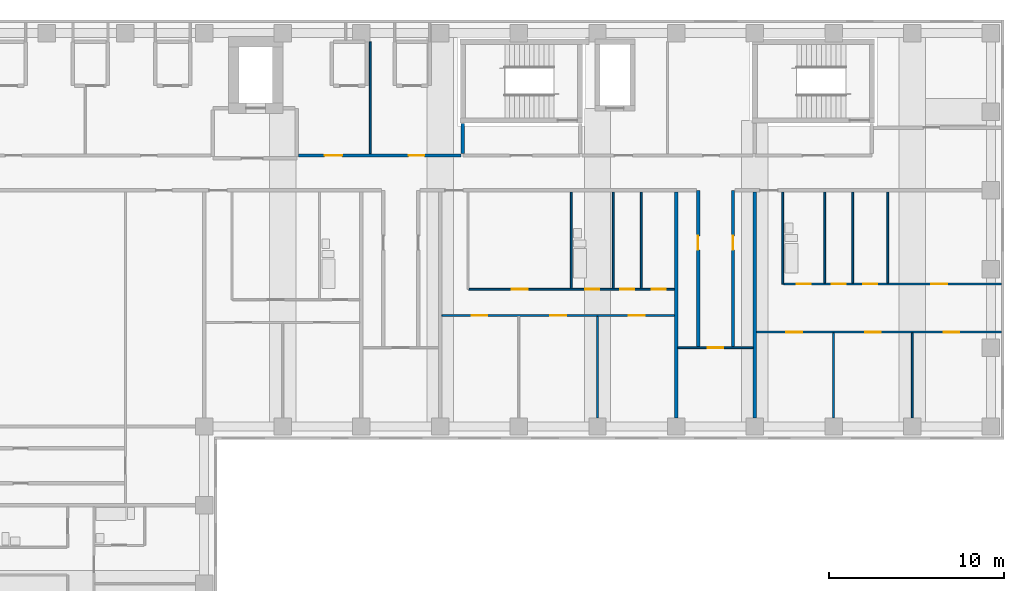
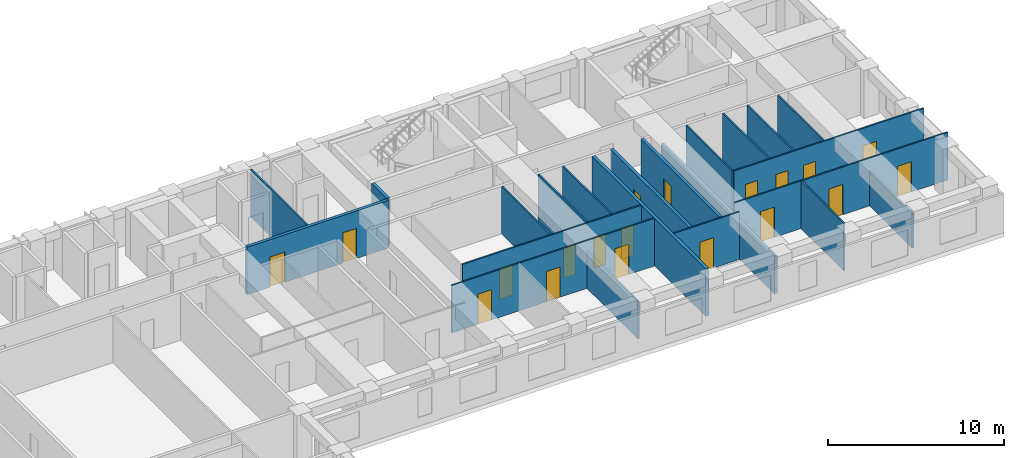
# One storey, part 7 of 12: 22 walls, 19 doors, 19 openings.
"""IFC4 building model written with IfcOpenShell, lengths in metres."""

import ifcopenshell
import ifcopenshell.guid

model = None  # the IFC model being written
_history = None  # IfcOwnerHistory: only IFC2X3 demands one
_inside = {}  # id of a spatial element -> (the spatial element, [elements in it])
_under = {}  # id of a project, library or spatial element -> (it, [spatial elements below it])
_declared = {}  # id of a project -> (the project, [libraries it declares])
_typed = {}  # id of a type object -> (the type object, [elements of that type])
_made_of = {}  # id of a material, layer set ... -> (it, [elements and type objects made of it])


def new_model(schema):
    """Start an empty IFC model of exactly this schema.

    Asked for "IFC4X3", IfcOpenShell would pick the latest addendum, in which some entities
    have other attributes; the version numbers below select the first issue.
    IFC2X3 requires an IfcOwnerHistory on every rooted entity: one is made here for all.
    """
    global model, _history
    if schema == "IFC4X3":
        model = ifcopenshell.file(schema_version=(4, 3, 0, 0))
    else:
        model = ifcopenshell.file(schema=schema)
    _inside.clear()
    _under.clear()
    _declared.clear()
    _typed.clear()
    _made_of.clear()
    _history = None
    if model.schema == "IFC2X3":
        org = make("IfcOrganization", Name="unknown")
        user = make(
            "IfcPersonAndOrganization",
            ThePerson=make("IfcPerson", FamilyName="unknown"),
            TheOrganization=org,
        )
        app = make(
            "IfcApplication",
            ApplicationDeveloper=org,
            Version="unknown",
            ApplicationFullName="unknown",
            ApplicationIdentifier="unknown",
        )
        _history = make(
            "IfcOwnerHistory",
            OwningUser=user,
            OwningApplication=app,
            ChangeAction="ADDED",
            CreationDate=0,
        )
    return model


def make(cls, **values):
    """One entity of the class cls with the attributes given. An attribute that is None is left unset."""
    return model.create_entity(
        cls, **{name: value for name, value in values.items() if value is not None}
    )


def rooted(cls, **values):
    """An entity with a GlobalId (a new one), such as an element, a storey or a relation."""
    return make(cls, GlobalId=ifcopenshell.guid.new(), OwnerHistory=_history, **values)


def si_unit(unit_type, name, prefix=None):
    """IfcSIUnit, for example si_unit("LENGTHUNIT", "METRE", prefix="MILLI")."""
    return make("IfcSIUnit", UnitType=unit_type, Prefix=prefix, Name=name)


def assignment(units):
    """IfcUnitAssignment: the units of a project."""
    return None if units is None else make("IfcUnitAssignment", Units=units)


def point(xyz):
    """IfcCartesianPoint."""
    return None if xyz is None else make("IfcCartesianPoint", Coordinates=xyz)


def direction(xyz):
    """IfcDirection."""
    return None if xyz is None else make("IfcDirection", DirectionRatios=xyz)


def frame(location, z_axis=None, x_axis=None):
    """IfcAxis2Placement3D, a coordinate frame: its origin and axes. An axis left out is left unset."""
    return make(
        "IfcAxis2Placement3D",
        Location=point(location),
        Axis=direction(z_axis),
        RefDirection=direction(x_axis),
    )


def frame_2d(location, x_axis=None):
    """IfcAxis2Placement2D, a coordinate frame in the plane: its origin and x axis."""
    return make(
        "IfcAxis2Placement2D", Location=point(location), RefDirection=direction(x_axis)
    )


def origin():
    """The frame at (0, 0, 0) with its axes left unset."""
    return frame((0.0, 0.0, 0.0))


def place(relative_to, where):
    """IfcLocalPlacement: puts the frame where relative to a parent placement (None: the world)."""
    return make(
        "IfcLocalPlacement", PlacementRelTo=relative_to, RelativePlacement=where
    )


def context(
    kind, dimensions, precision=None, world=None, true_north=None, identifier=None
):
    """IfcGeometricRepresentationContext, for example the 3D "Model" context."""
    return make(
        "IfcGeometricRepresentationContext",
        ContextIdentifier=identifier,
        ContextType=kind,
        CoordinateSpaceDimension=dimensions,
        Precision=precision,
        WorldCoordinateSystem=world,
        TrueNorth=true_north,
    )


def subcontext(parent, identifier, kind, view, scale=None):
    """IfcGeometricRepresentationSubContext, for example "Body" below "Model"."""
    return make(
        "IfcGeometricRepresentationSubContext",
        ContextIdentifier=identifier,
        ContextType=kind,
        ParentContext=parent,
        TargetScale=scale,
        TargetView=view,
    )


def project(units=None, contexts=None):
    """IfcProject with its units and contexts."""
    return rooted(
        "IfcProject",
        Name="project",
        RepresentationContexts=contexts,
        UnitsInContext=assignment(units),
    )


def spatial(cls, under=None, at=None, **own):
    """A site, building, storey or space (cls), placed at a placement, below another one or the project."""
    s = rooted(cls, ObjectPlacement=at, **own)
    if under is not None:
        _under.setdefault(under.id(), (under, []))[1].append(s)
    return s


def profile(cls, at=None, kind="AREA", **sizes):
    """A parametric profile (cls). Its sizes go by their IFC names, for example OverallWidth=200.0."""
    return make(cls, ProfileType=kind, Position=at, **sizes)


def rectangle(**sizes):
    """IfcRectangleProfileDef."""
    return profile("IfcRectangleProfileDef", **sizes)


def extrude(swept, where, along, depth):
    """IfcExtrudedAreaSolid: the profile swept, set in the frame where, extruded along a direction by depth."""
    return make(
        "IfcExtrudedAreaSolid",
        SweptArea=swept,
        Position=where,
        ExtrudedDirection=direction(along),
        Depth=depth,
    )


def shape(context_of_items, identifier, shape_type, items):
    """IfcShapeRepresentation: the items that make up one representation, for example the "Body"."""
    return make(
        "IfcShapeRepresentation",
        ContextOfItems=context_of_items,
        RepresentationIdentifier=identifier,
        RepresentationType=shape_type,
        Items=items,
    )


def material(Name=None, Category=None):
    """IfcMaterial."""
    return make("IfcMaterial", Name=Name, Category=Category)


def layer(
    of_material, thickness, ventilated=None, Name=None, Category=None, Priority=None
):
    """IfcMaterialLayer: one layer of a wall or slab, of a material (None: an air gap)."""
    return make(
        "IfcMaterialLayer",
        Material=of_material,
        LayerThickness=thickness,
        IsVentilated=ventilated,
        Name=Name,
        Category=Category,
        Priority=Priority,
    )


def layer_set(layers, Name=None):
    """IfcMaterialLayerSet."""
    return make("IfcMaterialLayerSet", MaterialLayers=layers, LayerSetName=Name)


def made_of(thing, what):
    """Note that an element or type object is made of a material, layer set ...; save() writes the relation."""
    if what is not None:
        _made_of.setdefault(what.id(), (what, []))[1].append(thing)
    return thing


def type_object(cls, material=None, **own):
    """A type object (cls), such as IfcWallType, which elements share."""
    return made_of(rooted(cls, **own), material)


def element(
    cls,
    number,
    at=None,
    inside=None,
    cuts=None,
    type_object=None,
    material=None,
    context=None,
    identifier="Body",
    shape_type=None,
    held_by="IfcProductDefinitionShape",
    body=None,
    shapes=None,
    **own,
):
    """One element of the class cls, such as IfcWall. Its Tag is "e" and its number.

    at: its placement. inside: the storey or other place that contains it. cuts: it is an
    opening in that element (IfcRelVoidsElement). A single representation is given by context,
    identifier, shape_type and body (its items); several are given by shapes. held_by: the class
    of the entity that holds the representations. save() writes the other relations.
    """
    e = rooted(cls, Tag="e%d" % number, ObjectPlacement=at, **own)
    if body is not None:
        shapes = [shape(context, identifier, shape_type, body)]
    if shapes is not None:
        e.Representation = make(held_by, Representations=shapes)
    if inside is not None:
        _inside.setdefault(inside.id(), (inside, []))[1].append(e)
    if cuts is not None:
        rooted(
            "IfcRelVoidsElement", RelatingBuildingElement=cuts, RelatedOpeningElement=e
        )
    if type_object is not None:
        _typed.setdefault(type_object.id(), (type_object, []))[1].append(e)
    return made_of(e, material)


def fill(opening, filler):
    """IfcRelFillsElement: the door or window that sits in an opening."""
    return rooted(
        "IfcRelFillsElement",
        RelatingOpeningElement=opening,
        RelatedBuildingElement=filler,
    )


def aggregate(whole, parts):
    """IfcRelAggregates: a whole, such as a stair, and the parts it consists of."""
    return rooted("IfcRelAggregates", RelatingObject=whole, RelatedObjects=parts)


def save(model, path):
    """Write the relations noted so far, then the file.

    IfcRelAggregates (storeys below a building ...), IfcRelContainedInSpatialStructure (elements
    in a storey), IfcRelDefinesByType, IfcRelAssociatesMaterial and IfcRelDeclares: one each for
    every whole, place, type object, material and project.
    """
    for whole, parts in _under.values():
        aggregate(whole, parts)
    for where, things in _inside.values():
        rooted(
            "IfcRelContainedInSpatialStructure",
            RelatedElements=things,
            RelatingStructure=where,
        )
    for kind, things in _typed.values():
        rooted("IfcRelDefinesByType", RelatedObjects=things, RelatingType=kind)
    for what, things in _made_of.values():
        rooted("IfcRelAssociatesMaterial", RelatedObjects=things, RelatingMaterial=what)
    for by, libraries in _declared.values():
        rooted("IfcRelDeclares", RelatingContext=by, RelatedDefinitions=libraries)
    model.write(path)


model = new_model("IFC4")

# Units and contexts
model_context = context("Model", 3, precision=1e-05, world=origin(), true_north=direction((0.0, 1.0)))
body_context = subcontext(model_context, "Body", "Model", "MODEL_VIEW")
ifc_project = project(units=[si_unit("LENGTHUNIT", "METRE"), si_unit("AREAUNIT", "SQUARE_METRE"), si_unit("VOLUMEUNIT", "CUBIC_METRE"), si_unit("PLANEANGLEUNIT", "RADIAN"), si_unit("MASSUNIT", "GRAM", prefix="KILO")], contexts=[model_context])

# Site, building, storey
site_placement = place(None, origin())
site = spatial("IfcSite", under=ifc_project, at=site_placement, CompositionType="ELEMENT")
building_placement = place(site_placement, origin())
building = spatial("IfcBuilding", under=site, at=building_placement, Name="Firuza Court", CompositionType="ELEMENT")
storey_placement = place(building_placement, frame((0.0, 0.0, 148.39990234375)))
storey = spatial("IfcBuildingStorey", under=building, at=storey_placement, Name="L37", CompositionType="ELEMENT", Elevation=148.39990234375)

# Walls
ifc_material_1 = material(Name="Moisture-resistant gypsum board partition")
ifc_layer_1 = layer(ifc_material_1, 0.10009765625)
ifc_layer_set_1 = layer_set([ifc_layer_1], Name="Moisture-resistant gypsum board partition")
wall_type_1 = type_object("IfcWallType", Name="Bathroom partition 100", PredefinedType="PLUMBINGWALL", material=ifc_layer_set_1)
for number, where, z_axis, x_axis, name in (
    (1, (43.5, 43.89990234375, 0.0), (0.0, 0.0, 1.0), (0.0, 1.0, 0.0), "Bathroom partition 100 L37"),
    (2, (45.89990234375, 43.89990234375, 0.0), (0.0, 0.0, 1.0), (0.0, 1.0, 0.0), "Bathroom partition 100 L37"),
):
    element("IfcWall", number, at=place(storey_placement, frame(where, z_axis=z_axis, x_axis=x_axis)), inside=storey, type_object=wall_type_1, Name=name, PredefinedType="PLUMBINGWALL", context=body_context, shape_type="SweptSolid", body=[
        extrude(rectangle(XDim=5.5, YDim=0.10009765625, at=frame_2d((2.75, 0.0))), origin(), (0.0, 0.0, 1.0), 3.300048828125),
    ])
wall_1_placement = place(storey_placement, frame((55.60009765625, 44.14990234375, 0.0), z_axis=(0.0, 0.0, 1.0), x_axis=(0.0, 1.0, 0.0)))
element("IfcWall", 3, at=wall_1_placement, inside=storey, type_object=wall_type_1, Name="Bathroom partition 100 L37", PredefinedType="PLUMBINGWALL", context=body_context, shape_type="SweptSolid", body=[
    extrude(rectangle(XDim=5.25, YDim=0.10009765625, at=frame_2d((2.625, 0.0))), origin(), (0.0, 0.0, 1.0), 3.300048828125),
])
wall_2_placement = place(storey_placement, frame((58.0, 44.199951171875, 0.0), z_axis=(0.0, 0.0, 1.0), x_axis=(0.0, 1.0, 0.0)))
element("IfcWall", 4, at=wall_2_placement, inside=storey, type_object=wall_type_1, Name="Bathroom partition 100 L37", PredefinedType="PLUMBINGWALL", context=body_context, shape_type="SweptSolid", body=[
    extrude(rectangle(XDim=5.199951171875, YDim=0.10009765625, at=frame_2d((2.60009765625, 0.0))), origin(), (0.0, 0.0, 1.0), 3.300048828125),
])

# Wall, opening, door
ifc_material_2 = material(Name="Blockwork, plastered both sides", Category="masonry")
ifc_layer_2 = layer(ifc_material_2, 0.199951171875)
ifc_layer_set_2 = layer_set([ifc_layer_2], Name="Blockwork, plastered both sides")
wall_type_2 = type_object("IfcWallType", Name="Corridor wall 200", PredefinedType="PARTITIONING", material=ifc_layer_set_2)
wall_3_placement = place(storey_placement, frame((50.75, 40.550048828125, 0.0), z_axis=(0.0, 0.0, 1.0), x_axis=(0.0, 1.0, 0.0)))
wall_3 = element("IfcWall", 5, at=wall_3_placement, inside=storey, type_object=wall_type_2, Name="Corridor wall 200 L37", PredefinedType="PARTITIONING", context=body_context, shape_type="SweptSolid", body=[
    extrude(rectangle(XDim=8.949951171875, YDim=0.199951171875, at=frame_2d((4.47509765625, 0.0))), origin(), (0.0, 0.0, 1.0), 3.300048828125),
])
opening_1_placement = place(wall_3_placement, frame((5.550048828125, 0.0, 0.0)))
opening_1 = element("IfcOpeningElement", 6, at=opening_1_placement, cuts=wall_3, Name="Opening D37046", PredefinedType="OPENING", context=body_context, shape_type="SweptSolid", body=[
    extrude(rectangle(XDim=0.800048828125, YDim=2.10009765625, at=frame_2d((0.39990234375, 1.050048828125))), frame((0.0, 0.11181640625, 0.0), z_axis=(0.0, -1.0, 0.0), x_axis=(1.0, 0.0, 0.0)), (0.0, 0.0, 1.0), 0.223876953125),
])
ifc_material_3 = material(Name="Timber door leaf in hardwood frame", Category="wood")
door_type_1 = type_object("IfcDoorType", Name="Room door 800 EI 30", OperationType="SINGLE_SWING_LEFT", PredefinedType="DOOR", material=ifc_material_3)
door_1_placement = place(opening_1_placement, origin())
door_1 = element("IfcDoor", 7, at=door_1_placement, inside=storey, type_object=door_type_1, Name="Store door", OperationType="SINGLE_SWING_RIGHT", OverallHeight=2.10009765625, OverallWidth=0.800048828125, PredefinedType="DOOR", context=body_context, shape_type="SweptSolid", body=[
    extrude(rectangle(XDim=0.800048828125, YDim=2.10009765625, at=frame_2d((0.39990234375, 1.050048828125))), frame((0.0, 0.02490234375, 0.0), z_axis=(0.0, -1.0, 0.0), x_axis=(1.0, 0.0, 0.0)), (0.0, 0.0, 1.0), 0.050048828125),
])
fill(opening_1, door_1)

wall_4_placement = place(storey_placement, frame((52.75, 40.550048828125, 0.0), z_axis=(0.0, 0.0, 1.0), x_axis=(0.0, 1.0, 0.0)))
wall_4 = element("IfcWall", 8, at=wall_4_placement, inside=storey, type_object=wall_type_2, Name="Corridor wall 200 L37", PredefinedType="PARTITIONING", context=body_context, shape_type="SweptSolid", body=[
    extrude(rectangle(XDim=8.949951171875, YDim=0.199951171875, at=frame_2d((4.47509765625, 0.0))), origin(), (0.0, 0.0, 1.0), 3.300048828125),
])
opening_2_placement = place(wall_4_placement, frame((5.550048828125, 0.0, 0.0)))
opening_2 = element("IfcOpeningElement", 9, at=opening_2_placement, cuts=wall_4, Name="Opening D37047", PredefinedType="OPENING", context=body_context, shape_type="SweptSolid", body=[
    extrude(rectangle(XDim=0.800048828125, YDim=2.10009765625, at=frame_2d((0.39990234375, 1.050048828125))), frame((0.0, 0.11181640625, 0.0), z_axis=(0.0, -1.0, 0.0), x_axis=(1.0, 0.0, 0.0)), (0.0, 0.0, 1.0), 0.223876953125),
])
door_2_placement = place(opening_2_placement, frame((0.800048828125, 0.0, 0.0), z_axis=(0.0, 0.0, 1.0), x_axis=(-1.0, 0.0, 0.0)))
door_2 = element("IfcDoor", 10, at=door_2_placement, inside=storey, type_object=door_type_1, Name="Store door", OperationType="SINGLE_SWING_LEFT", OverallHeight=2.10009765625, OverallWidth=0.800048828125, PredefinedType="DOOR", context=body_context, shape_type="SweptSolid", body=[
    extrude(rectangle(XDim=0.800048828125, YDim=2.10009765625, at=frame_2d((0.39990234375, 1.050048828125))), frame((0.0, 0.02490234375, 0.0), z_axis=(0.0, -1.0, 0.0), x_axis=(1.0, 0.0, 0.0)), (0.0, 0.0, 1.0), 0.050048828125),
])
fill(opening_2, door_2)

# Wall, openings, doors
wall_5_placement = place(storey_placement, frame((27.89990234375, 51.5, 0.0), z_axis=(0.0, 0.0, 1.0), x_axis=(1.0, 0.0, 0.0)))
wall_5 = element("IfcWall", 11, at=wall_5_placement, inside=storey, type_object=wall_type_2, Name="Corridor wall 200 L37", PredefinedType="PARTITIONING", context=body_context, shape_type="SweptSolid", body=[
    extrude(rectangle(XDim=9.300048828125, YDim=0.199951171875, at=frame_2d((4.64990234375, 0.0))), origin(), (0.0, 0.0, 1.0), 3.300048828125),
])
opening_3_placement = place(wall_5_placement, frame((1.5, 0.0, 0.0)))
opening_3 = element("IfcOpeningElement", 12, at=opening_3_placement, cuts=wall_5, Name="Opening D37072", PredefinedType="OPENING", context=body_context, shape_type="SweptSolid", body=[
    extrude(rectangle(XDim=1.0, YDim=2.10009765625, at=frame_2d((0.5, 1.050048828125))), frame((0.0, 0.11181640625, 0.0), z_axis=(0.0, -1.0, 0.0), x_axis=(1.0, 0.0, 0.0)), (0.0, 0.0, 1.0), 0.223876953125),
])
opening_4_placement = place(wall_5_placement, frame((6.300048828125, 0.0, 0.0)))
opening_4 = element("IfcOpeningElement", 13, at=opening_4_placement, cuts=wall_5, Name="Opening D37073", PredefinedType="OPENING", context=body_context, shape_type="SweptSolid", body=[
    extrude(rectangle(XDim=0.89990234375, YDim=2.10009765625, at=frame_2d((0.449951171875, 1.050048828125))), frame((0.0, 0.11181640625, 0.0), z_axis=(0.0, -1.0, 0.0), x_axis=(1.0, 0.0, 0.0)), (0.0, 0.0, 1.0), 0.223876953125),
])
ifc_material_4 = material(Name="Timber door leaf in hardwood frame", Category="wood")
door_type_2 = type_object("IfcDoorType", Name="Room door 900 EI 30", OperationType="SINGLE_SWING_LEFT", PredefinedType="DOOR", material=ifc_material_4)
door_3_placement = place(opening_4_placement, origin())
door_3 = element("IfcDoor", 14, at=door_3_placement, inside=storey, type_object=door_type_2, Name="Concierge room door", OperationType="SINGLE_SWING_LEFT", OverallHeight=2.10009765625, OverallWidth=0.89990234375, PredefinedType="DOOR", context=body_context, shape_type="SweptSolid", body=[
    extrude(rectangle(XDim=0.89990234375, YDim=2.10009765625, at=frame_2d((0.449951171875, 1.050048828125))), frame((0.0, 0.02490234375, 0.0), z_axis=(0.0, -1.0, 0.0), x_axis=(1.0, 0.0, 0.0)), (0.0, 0.0, 1.0), 0.050048828125),
])
fill(opening_4, door_3)
ifc_material_5 = material(Name="Timber door leaf in hardwood frame", Category="wood")
door_type_3 = type_object("IfcDoorType", Name="Store door 1000", OperationType="SINGLE_SWING_LEFT", PredefinedType="DOOR", material=ifc_material_5)
door_4_placement = place(opening_3_placement, origin())
door_4 = element("IfcDoor", 15, at=door_4_placement, inside=storey, type_object=door_type_3, Name="Cleaner's store door", OperationType="SINGLE_SWING_LEFT", OverallHeight=2.10009765625, OverallWidth=1.0, PredefinedType="DOOR", context=body_context, shape_type="SweptSolid", body=[
    extrude(rectangle(XDim=1.0, YDim=2.10009765625, at=frame_2d((0.5, 1.050048828125))), frame((0.0, 0.02490234375, 0.0), z_axis=(0.0, -1.0, 0.0), x_axis=(1.0, 0.0, 0.0)), (0.0, 0.0, 1.0), 0.050048828125),
])
fill(opening_3, door_4)

# Walls
ifc_material_6 = material(Name="Timber stud partition, plasterboard both sides", Category="wood")
ifc_layer_3 = layer(ifc_material_6, 0.10009765625)
ifc_layer_set_3 = layer_set([ifc_layer_3], Name="Timber stud partition, plasterboard both sides")
wall_type_3 = type_object("IfcWallType", Name="Partition wall 100", PredefinedType="PARTITIONING", material=ifc_layer_set_3)
wall_6_placement = place(storey_placement, frame((45.0, 36.5, 0.0), z_axis=(0.0, 0.0, 1.0), x_axis=(0.0, 1.0, 0.0)))
element("IfcWall", 16, at=wall_6_placement, inside=storey, type_object=wall_type_3, Name="Partition wall 100 L37", PredefinedType="PARTITIONING", context=body_context, shape_type="SweptSolid", body=[
    extrude(rectangle(XDim=5.800048828125, YDim=0.10009765625, at=frame_2d((2.89990234375, 0.0))), origin(), (0.0, 0.0, 1.0), 2.60009765625),
])
wall_7_placement = place(storey_placement, frame((58.5, 36.5, 0.0), z_axis=(0.0, 0.0, 1.0), x_axis=(0.0, 1.0, 0.0)))
element("IfcWall", 17, at=wall_7_placement, inside=storey, type_object=wall_type_3, Name="Partition wall 100 L37", PredefinedType="PARTITIONING", context=body_context, shape_type="SweptSolid", body=[
    extrude(rectangle(XDim=4.85009765625, YDim=0.10009765625, at=frame_2d((2.425048828125, 0.0))), origin(), (0.0, 0.0, 1.0), 3.300048828125),
])
wall_8_placement = place(storey_placement, frame((63.0, 36.5, 0.0), z_axis=(0.0, 0.0, 1.0), x_axis=(0.0, 1.0, 0.0)))
element("IfcWall", 18, at=wall_8_placement, inside=storey, type_object=wall_type_3, Name="Partition wall 100 L37", PredefinedType="PARTITIONING", context=body_context, shape_type="SweptSolid", body=[
    extrude(rectangle(XDim=4.85009765625, YDim=0.10009765625, at=frame_2d((2.425048828125, 0.0))), origin(), (0.0, 0.0, 1.0), 2.400146484375),
])

# Wall, opening, door
wall_9_placement = place(storey_placement, frame((49.60009765625, 40.5, 0.0), z_axis=(0.0, 0.0, 1.0), x_axis=(1.0, 0.0, 0.0)))
wall_9 = element("IfcWall", 19, at=wall_9_placement, inside=storey, type_object=wall_type_3, Name="Partition wall 100 L37", PredefinedType="PARTITIONING", context=body_context, shape_type="SweptSolid", body=[
    extrude(rectangle(XDim=4.2998046875, YDim=0.10009765625, at=frame_2d((2.14990234375, 0.0))), origin(), (0.0, 0.0, 1.0), 3.300048828125),
])
opening_5_placement = place(wall_9_placement, frame((1.699951171875, 0.0, 0.0)))
opening_5 = element("IfcOpeningElement", 20, at=opening_5_placement, cuts=wall_9, Name="Opening D37043", PredefinedType="OPENING", context=body_context, shape_type="SweptSolid", body=[
    extrude(rectangle(XDim=0.89990234375, YDim=2.10009765625, at=frame_2d((0.449951171875, 1.050048828125))), frame((0.0, 0.06201171875, 0.0), z_axis=(0.0, -1.0, 0.0), x_axis=(1.0, 0.0, 0.0)), (0.0, 0.0, 1.0), 0.1240234375),
])
ifc_material_7 = material(Name="Timber door leaf in hardwood frame", Category="wood")
door_type_4 = type_object("IfcDoorType", Name="Room door 900", OperationType="SINGLE_SWING_LEFT", PredefinedType="DOOR", material=ifc_material_7)
door_5_placement = place(opening_5_placement, origin())
door_5 = element("IfcDoor", 21, at=door_5_placement, inside=storey, type_object=door_type_4, Name="Residents' lounge door", OperationType="SINGLE_SWING_LEFT", OverallHeight=2.10009765625, OverallWidth=0.89990234375, PredefinedType="DOOR", context=body_context, shape_type="SweptSolid", body=[
    extrude(rectangle(XDim=0.89990234375, YDim=2.10009765625, at=frame_2d((0.449951171875, 1.050048828125))), frame((0.0, 0.02490234375, 0.0), z_axis=(0.0, -1.0, 0.0), x_axis=(1.0, 0.0, 0.0)), (0.0, 0.0, 1.0), 0.050048828125),
])
fill(opening_5, door_5)

# Wall, openings, doors
wall_10_placement = place(storey_placement, frame((54.10009765625, 41.39990234375, 0.0), z_axis=(0.0, 0.0, 1.0), x_axis=(1.0, 0.0, 0.0)))
wall_10 = element("IfcWall", 22, at=wall_10_placement, inside=storey, type_object=wall_type_3, Name="Partition wall 100 L37", PredefinedType="PARTITIONING", context=body_context, shape_type="SweptSolid", body=[
    extrude(rectangle(XDim=14.0, YDim=0.10009765625, at=frame_2d((7.0, 0.0))), origin(), (0.0, 0.0, 1.0), 3.300048828125),
])
opening_6_placement = place(wall_10_placement, frame((1.699951171875, 0.0, 0.0)))
opening_6 = element("IfcOpeningElement", 23, at=opening_6_placement, cuts=wall_10, Name="Opening D37048", PredefinedType="OPENING", context=body_context, shape_type="SweptSolid", body=[
    extrude(rectangle(XDim=0.89990234375, YDim=2.10009765625, at=frame_2d((0.449951171875, 1.050048828125))), frame((0.0, 0.06201171875, 0.0), z_axis=(0.0, -1.0, 0.0), x_axis=(1.0, 0.0, 0.0)), (0.0, 0.0, 1.0), 0.1240234375),
])
opening_7_placement = place(wall_10_placement, frame((6.199951171875, 0.0, 0.0)))
opening_7 = element("IfcOpeningElement", 24, at=opening_7_placement, cuts=wall_10, Name="Opening D37049", PredefinedType="OPENING", context=body_context, shape_type="SweptSolid", body=[
    extrude(rectangle(XDim=0.89990234375, YDim=2.10009765625, at=frame_2d((0.449951171875, 1.050048828125))), frame((0.0, 0.06201171875, 0.0), z_axis=(0.0, -1.0, 0.0), x_axis=(1.0, 0.0, 0.0)), (0.0, 0.0, 1.0), 0.1240234375),
])
opening_8_placement = place(wall_10_placement, frame((10.699951171875, 0.0, 0.0)))
opening_8 = element("IfcOpeningElement", 25, at=opening_8_placement, cuts=wall_10, Name="Opening D37050", PredefinedType="OPENING", context=body_context, shape_type="SweptSolid", body=[
    extrude(rectangle(XDim=0.89990234375, YDim=2.10009765625, at=frame_2d((0.449951171875, 1.050048828125))), frame((0.0, 0.06201171875, 0.0), z_axis=(0.0, -1.0, 0.0), x_axis=(1.0, 0.0, 0.0)), (0.0, 0.0, 1.0), 0.1240234375),
])
door_6_placement = place(opening_6_placement, frame((0.89990234375, 0.0, 0.0), z_axis=(0.0, 0.0, 1.0), x_axis=(-1.0, 0.0, 0.0)))
door_6 = element("IfcDoor", 26, at=door_6_placement, inside=storey, type_object=door_type_4, Name="Living room door", OperationType="SINGLE_SWING_RIGHT", OverallHeight=2.10009765625, OverallWidth=0.89990234375, PredefinedType="DOOR", context=body_context, shape_type="SweptSolid", body=[
    extrude(rectangle(XDim=0.89990234375, YDim=2.10009765625, at=frame_2d((0.449951171875, 1.050048828125))), frame((0.0, 0.02490234375, 0.0), z_axis=(0.0, -1.0, 0.0), x_axis=(1.0, 0.0, 0.0)), (0.0, 0.0, 1.0), 0.050048828125),
])
fill(opening_6, door_6)
door_7_placement = place(opening_7_placement, frame((0.89990234375, 0.0, 0.0), z_axis=(0.0, 0.0, 1.0), x_axis=(-1.0, 0.0, 0.0)))
door_7 = element("IfcDoor", 27, at=door_7_placement, inside=storey, type_object=door_type_4, Name="Bedroom door", OperationType="SINGLE_SWING_RIGHT", OverallHeight=2.10009765625, OverallWidth=0.89990234375, PredefinedType="DOOR", context=body_context, shape_type="SweptSolid", body=[
    extrude(rectangle(XDim=0.89990234375, YDim=2.10009765625, at=frame_2d((0.449951171875, 1.050048828125))), frame((0.0, 0.02490234375, 0.0), z_axis=(0.0, -1.0, 0.0), x_axis=(1.0, 0.0, 0.0)), (0.0, 0.0, 1.0), 0.050048828125),
])
fill(opening_7, door_7)
door_8_placement = place(opening_8_placement, frame((0.89990234375, 0.0, 0.0), z_axis=(0.0, 0.0, 1.0), x_axis=(-1.0, 0.0, 0.0)))
door_8 = element("IfcDoor", 28, at=door_8_placement, inside=storey, type_object=door_type_4, Name="Study door", OperationType="SINGLE_SWING_RIGHT", OverallHeight=2.10009765625, OverallWidth=0.89990234375, PredefinedType="DOOR", context=body_context, shape_type="SweptSolid", body=[
    extrude(rectangle(XDim=0.89990234375, YDim=2.10009765625, at=frame_2d((0.449951171875, 1.050048828125))), frame((0.0, 0.02490234375, 0.0), z_axis=(0.0, -1.0, 0.0), x_axis=(1.0, 0.0, 0.0)), (0.0, 0.0, 1.0), 0.050048828125),
])
fill(opening_8, door_8)

wall_11_placement = place(storey_placement, frame((36.10009765625, 42.35009765625, 0.0), z_axis=(0.0, 0.0, 1.0), x_axis=(1.0, 0.0, 0.0)))
wall_11 = element("IfcWall", 29, at=wall_11_placement, inside=storey, type_object=wall_type_3, Name="Partition wall 100 L37", PredefinedType="PARTITIONING", context=body_context, shape_type="SweptSolid", body=[
    extrude(rectangle(XDim=13.2998046875, YDim=0.10009765625, at=frame_2d((6.64990234375, 0.0))), origin(), (0.0, 0.0, 1.0), 3.300048828125),
])
opening_9_placement = place(wall_11_placement, frame((1.699951171875, 0.0, 0.0)))
opening_9 = element("IfcOpeningElement", 30, at=opening_9_placement, cuts=wall_11, Name="Opening D37053", PredefinedType="OPENING", context=body_context, shape_type="SweptSolid", body=[
    extrude(rectangle(XDim=0.89990234375, YDim=2.10009765625, at=frame_2d((0.449951171875, 1.050048828125))), frame((0.0, 0.06201171875, 0.0), z_axis=(0.0, -1.0, 0.0), x_axis=(1.0, 0.0, 0.0)), (0.0, 0.0, 1.0), 0.1240234375),
])
opening_10_placement = place(wall_11_placement, frame((6.199951171875, 0.0, 0.0)))
opening_10 = element("IfcOpeningElement", 31, at=opening_10_placement, cuts=wall_11, Name="Opening D37054", PredefinedType="OPENING", context=body_context, shape_type="SweptSolid", body=[
    extrude(rectangle(XDim=0.89990234375, YDim=2.10009765625, at=frame_2d((0.449951171875, 1.050048828125))), frame((0.0, 0.06201171875, 0.0), z_axis=(0.0, -1.0, 0.0), x_axis=(1.0, 0.0, 0.0)), (0.0, 0.0, 1.0), 0.1240234375),
])
opening_11_placement = place(wall_11_placement, frame((10.699951171875, 0.0, 0.0)))
opening_11 = element("IfcOpeningElement", 32, at=opening_11_placement, cuts=wall_11, Name="Opening D37055", PredefinedType="OPENING", context=body_context, shape_type="SweptSolid", body=[
    extrude(rectangle(XDim=0.89990234375, YDim=2.10009765625, at=frame_2d((0.449951171875, 1.050048828125))), frame((0.0, 0.06201171875, 0.0), z_axis=(0.0, -1.0, 0.0), x_axis=(1.0, 0.0, 0.0)), (0.0, 0.0, 1.0), 0.1240234375),
])
door_9_placement = place(opening_9_placement, frame((0.89990234375, 0.0, 0.0), z_axis=(0.0, 0.0, 1.0), x_axis=(-1.0, 0.0, 0.0)))
door_9 = element("IfcDoor", 33, at=door_9_placement, inside=storey, type_object=door_type_4, Name="Living room door", OperationType="SINGLE_SWING_RIGHT", OverallHeight=2.10009765625, OverallWidth=0.89990234375, PredefinedType="DOOR", context=body_context, shape_type="SweptSolid", body=[
    extrude(rectangle(XDim=0.89990234375, YDim=2.10009765625, at=frame_2d((0.449951171875, 1.050048828125))), frame((0.0, 0.02490234375, 0.0), z_axis=(0.0, -1.0, 0.0), x_axis=(1.0, 0.0, 0.0)), (0.0, 0.0, 1.0), 0.050048828125),
])
fill(opening_9, door_9)
door_10_placement = place(opening_10_placement, frame((0.89990234375, 0.0, 0.0), z_axis=(0.0, 0.0, 1.0), x_axis=(-1.0, 0.0, 0.0)))
door_10 = element("IfcDoor", 34, at=door_10_placement, inside=storey, type_object=door_type_4, Name="Bedroom door", OperationType="SINGLE_SWING_RIGHT", OverallHeight=2.10009765625, OverallWidth=0.89990234375, PredefinedType="DOOR", context=body_context, shape_type="SweptSolid", body=[
    extrude(rectangle(XDim=0.89990234375, YDim=2.10009765625, at=frame_2d((0.449951171875, 1.050048828125))), frame((0.0, 0.02490234375, 0.0), z_axis=(0.0, -1.0, 0.0), x_axis=(1.0, 0.0, 0.0)), (0.0, 0.0, 1.0), 0.050048828125),
])
fill(opening_10, door_10)
door_11_placement = place(opening_11_placement, frame((0.89990234375, 0.0, 0.0), z_axis=(0.0, 0.0, 1.0), x_axis=(-1.0, 0.0, 0.0)))
door_11 = element("IfcDoor", 35, at=door_11_placement, inside=storey, type_object=door_type_4, Name="Bedroom door", OperationType="SINGLE_SWING_RIGHT", OverallHeight=2.10009765625, OverallWidth=0.89990234375, PredefinedType="DOOR", context=body_context, shape_type="SweptSolid", body=[
    extrude(rectangle(XDim=0.89990234375, YDim=2.10009765625, at=frame_2d((0.449951171875, 1.050048828125))), frame((0.0, 0.02490234375, 0.0), z_axis=(0.0, -1.0, 0.0), x_axis=(1.0, 0.0, 0.0)), (0.0, 0.0, 1.0), 0.050048828125),
])
fill(opening_11, door_11)

wall_12_placement = place(storey_placement, frame((37.64990234375, 43.85009765625, 0.0), z_axis=(0.0, 0.0, 1.0), x_axis=(1.0, 0.0, 0.0)))
wall_12 = element("IfcWall", 36, at=wall_12_placement, inside=storey, type_object=wall_type_3, Name="Partition wall 100 L37", PredefinedType="PARTITIONING", context=body_context, shape_type="SweptSolid", body=[
    extrude(rectangle(XDim=11.75, YDim=0.10009765625, at=frame_2d((5.875, 0.0))), origin(), (0.0, 0.0, 1.0), 3.300048828125),
])
opening_12_placement = place(wall_12_placement, frame((6.64990234375, 0.0, 0.0)))
opening_12 = element("IfcOpeningElement", 37, at=opening_12_placement, cuts=wall_12, Name="Opening D37058", PredefinedType="OPENING", context=body_context, shape_type="SweptSolid", body=[
    extrude(rectangle(XDim=0.800048828125, YDim=2.10009765625, at=frame_2d((0.39990234375, 1.050048828125))), frame((0.0, 0.06201171875, 0.0), z_axis=(0.0, -1.0, 0.0), x_axis=(1.0, 0.0, 0.0)), (0.0, 0.0, 1.0), 0.1240234375),
])
opening_13_placement = place(wall_12_placement, frame((2.449951171875, 0.0, 0.0)))
opening_13 = element("IfcOpeningElement", 38, at=opening_13_placement, cuts=wall_12, Name="Opening D37059", PredefinedType="OPENING", context=body_context, shape_type="SweptSolid", body=[
    extrude(rectangle(XDim=0.89990234375, YDim=2.10009765625, at=frame_2d((0.449951171875, 1.050048828125))), frame((0.0, 0.06201171875, 0.0), z_axis=(0.0, -1.0, 0.0), x_axis=(1.0, 0.0, 0.0)), (0.0, 0.0, 1.0), 0.1240234375),
])
opening_14_placement = place(wall_12_placement, frame((8.64990234375, 0.0, 0.0)))
opening_14 = element("IfcOpeningElement", 39, at=opening_14_placement, cuts=wall_12, Name="Opening D37060", PredefinedType="OPENING", context=body_context, shape_type="SweptSolid", body=[
    extrude(rectangle(XDim=0.800048828125, YDim=2.10009765625, at=frame_2d((0.39990234375, 1.050048828125))), frame((0.0, 0.06201171875, 0.0), z_axis=(0.0, -1.0, 0.0), x_axis=(1.0, 0.0, 0.0)), (0.0, 0.0, 1.0), 0.1240234375),
])
opening_15_placement = place(wall_12_placement, frame((10.449951171875, 0.0, 0.0)))
opening_15 = element("IfcOpeningElement", 40, at=opening_15_placement, cuts=wall_12, Name="Opening D37061", PredefinedType="OPENING", context=body_context, shape_type="SweptSolid", body=[
    extrude(rectangle(XDim=0.800048828125, YDim=2.10009765625, at=frame_2d((0.39990234375, 1.050048828125))), frame((0.0, 0.06201171875, 0.0), z_axis=(0.0, -1.0, 0.0), x_axis=(1.0, 0.0, 0.0)), (0.0, 0.0, 1.0), 0.1240234375),
])
ifc_material_8 = material(Name="Timber door leaf in hardwood frame", Category="wood")
door_type_5 = type_object("IfcDoorType", Name="Bathroom door 800", OperationType="SINGLE_SWING_LEFT", PredefinedType="DOOR", material=ifc_material_8)
door_12_placement = place(opening_12_placement, origin())
door_12 = element("IfcDoor", 41, at=door_12_placement, inside=storey, type_object=door_type_5, Name="Bathroom door", OperationType="SINGLE_SWING_LEFT", OverallHeight=2.10009765625, OverallWidth=0.800048828125, PredefinedType="DOOR", context=body_context, shape_type="SweptSolid", body=[
    extrude(rectangle(XDim=0.800048828125, YDim=2.10009765625, at=frame_2d((0.39990234375, 1.050048828125))), frame((0.0, 0.02490234375, 0.0), z_axis=(0.0, -1.0, 0.0), x_axis=(1.0, 0.0, 0.0)), (0.0, 0.0, 1.0), 0.050048828125),
])
fill(opening_12, door_12)
ifc_material_9 = material(Name="Timber door leaf in hardwood frame", Category="wood")
door_type_6 = type_object("IfcDoorType", Name="Room door 800", OperationType="SINGLE_SWING_LEFT", PredefinedType="DOOR", material=ifc_material_9)
door_13_placement = place(opening_14_placement, origin())
door_13 = element("IfcDoor", 42, at=door_13_placement, inside=storey, type_object=door_type_6, Name="Store door", OperationType="SINGLE_SWING_LEFT", OverallHeight=2.10009765625, OverallWidth=0.800048828125, PredefinedType="DOOR", context=body_context, shape_type="SweptSolid", body=[
    extrude(rectangle(XDim=0.800048828125, YDim=2.10009765625, at=frame_2d((0.39990234375, 1.050048828125))), frame((0.0, 0.02490234375, 0.0), z_axis=(0.0, -1.0, 0.0), x_axis=(1.0, 0.0, 0.0)), (0.0, 0.0, 1.0), 0.050048828125),
])
fill(opening_14, door_13)
door_14_placement = place(opening_15_placement, origin())
door_14 = element("IfcDoor", 43, at=door_14_placement, inside=storey, type_object=door_type_6, Name="Utility room door", OperationType="SINGLE_SWING_LEFT", OverallHeight=2.10009765625, OverallWidth=0.800048828125, PredefinedType="DOOR", context=body_context, shape_type="SweptSolid", body=[
    extrude(rectangle(XDim=0.800048828125, YDim=2.10009765625, at=frame_2d((0.39990234375, 1.050048828125))), frame((0.0, 0.02490234375, 0.0), z_axis=(0.0, -1.0, 0.0), x_axis=(1.0, 0.0, 0.0)), (0.0, 0.0, 1.0), 0.050048828125),
])
fill(opening_15, door_14)
door_15_placement = place(opening_13_placement, origin())
door_15 = element("IfcDoor", 44, at=door_15_placement, inside=storey, type_object=door_type_4, Name="Kitchen door", OperationType="SINGLE_SWING_LEFT", OverallHeight=2.10009765625, OverallWidth=0.89990234375, PredefinedType="DOOR", context=body_context, shape_type="SweptSolid", body=[
    extrude(rectangle(XDim=0.89990234375, YDim=2.10009765625, at=frame_2d((0.449951171875, 1.050048828125))), frame((0.0, 0.02490234375, 0.0), z_axis=(0.0, -1.0, 0.0), x_axis=(1.0, 0.0, 0.0)), (0.0, 0.0, 1.0), 0.050048828125),
])
fill(opening_13, door_15)

# Wall
wall_13_placement = place(storey_placement, frame((47.5, 43.89990234375, 0.0), z_axis=(0.0, 0.0, 1.0), x_axis=(0.0, 1.0, 0.0)))
element("IfcWall", 45, at=wall_13_placement, inside=storey, type_object=wall_type_3, Name="Partition wall 100 L37", PredefinedType="PARTITIONING", context=body_context, shape_type="SweptSolid", body=[
    extrude(rectangle(XDim=5.5, YDim=0.10009765625, at=frame_2d((2.75, 0.0))), origin(), (0.0, 0.0, 1.0), 3.300048828125),
])

# Wall, openings, doors
wall_14_placement = place(storey_placement, frame((55.64990234375, 44.14990234375, 0.0), z_axis=(0.0, 0.0, 1.0), x_axis=(1.0, 0.0, 0.0)))
wall_14 = element("IfcWall", 46, at=wall_14_placement, inside=storey, type_object=wall_type_3, Name="Partition wall 100 L37", PredefinedType="PARTITIONING", context=body_context, shape_type="SweptSolid", body=[
    extrude(rectangle(XDim=12.4501953125, YDim=0.10009765625, at=frame_2d((6.22509765625, 0.0))), origin(), (0.0, 0.0, 1.0), 3.300048828125),
])
opening_16_placement = place(wall_14_placement, frame((0.75, 0.0, 0.0)))
opening_16 = element("IfcOpeningElement", 47, at=opening_16_placement, cuts=wall_14, Name="Opening D37062", PredefinedType="OPENING", context=body_context, shape_type="SweptSolid", body=[
    extrude(rectangle(XDim=0.800048828125, YDim=2.10009765625, at=frame_2d((0.39990234375, 1.050048828125))), frame((0.0, 0.06201171875, 0.0), z_axis=(0.0, -1.0, 0.0), x_axis=(1.0, 0.0, 0.0)), (0.0, 0.0, 1.0), 0.1240234375),
])
opening_17_placement = place(wall_14_placement, frame((8.449951171875, 0.0, 0.0)))
opening_17 = element("IfcOpeningElement", 48, at=opening_17_placement, cuts=wall_14, Name="Opening D37063", PredefinedType="OPENING", context=body_context, shape_type="SweptSolid", body=[
    extrude(rectangle(XDim=0.89990234375, YDim=2.10009765625, at=frame_2d((0.449951171875, 1.050048828125))), frame((0.0, 0.06201171875, 0.0), z_axis=(0.0, -1.0, 0.0), x_axis=(1.0, 0.0, 0.0)), (0.0, 0.0, 1.0), 0.1240234375),
])
opening_18_placement = place(wall_14_placement, frame((2.75, 0.0, 0.0)))
opening_18 = element("IfcOpeningElement", 49, at=opening_18_placement, cuts=wall_14, Name="Opening D37064", PredefinedType="OPENING", context=body_context, shape_type="SweptSolid", body=[
    extrude(rectangle(XDim=0.800048828125, YDim=2.10009765625, at=frame_2d((0.39990234375, 1.050048828125))), frame((0.0, 0.06201171875, 0.0), z_axis=(0.0, -1.0, 0.0), x_axis=(1.0, 0.0, 0.0)), (0.0, 0.0, 1.0), 0.1240234375),
])
opening_19_placement = place(wall_14_placement, frame((4.550048828125, 0.0, 0.0)))
opening_19 = element("IfcOpeningElement", 50, at=opening_19_placement, cuts=wall_14, Name="Opening D37065", PredefinedType="OPENING", context=body_context, shape_type="SweptSolid", body=[
    extrude(rectangle(XDim=0.800048828125, YDim=2.10009765625, at=frame_2d((0.39990234375, 1.050048828125))), frame((0.0, 0.06201171875, 0.0), z_axis=(0.0, -1.0, 0.0), x_axis=(1.0, 0.0, 0.0)), (0.0, 0.0, 1.0), 0.1240234375),
])
door_16_placement = place(opening_16_placement, origin())
door_16 = element("IfcDoor", 51, at=door_16_placement, inside=storey, type_object=door_type_5, Name="Bathroom door", OperationType="SINGLE_SWING_LEFT", OverallHeight=2.10009765625, OverallWidth=0.800048828125, PredefinedType="DOOR", context=body_context, shape_type="SweptSolid", body=[
    extrude(rectangle(XDim=0.800048828125, YDim=2.10009765625, at=frame_2d((0.39990234375, 1.050048828125))), frame((0.0, 0.02490234375, 0.0), z_axis=(0.0, -1.0, 0.0), x_axis=(1.0, 0.0, 0.0)), (0.0, 0.0, 1.0), 0.050048828125),
])
fill(opening_16, door_16)
door_17_placement = place(opening_18_placement, origin())
door_17 = element("IfcDoor", 52, at=door_17_placement, inside=storey, type_object=door_type_6, Name="Store door", OperationType="SINGLE_SWING_LEFT", OverallHeight=2.10009765625, OverallWidth=0.800048828125, PredefinedType="DOOR", context=body_context, shape_type="SweptSolid", body=[
    extrude(rectangle(XDim=0.800048828125, YDim=2.10009765625, at=frame_2d((0.39990234375, 1.050048828125))), frame((0.0, 0.02490234375, 0.0), z_axis=(0.0, -1.0, 0.0), x_axis=(1.0, 0.0, 0.0)), (0.0, 0.0, 1.0), 0.050048828125),
])
fill(opening_18, door_17)
door_18_placement = place(opening_19_placement, origin())
door_18 = element("IfcDoor", 53, at=door_18_placement, inside=storey, type_object=door_type_6, Name="Utility room door", OperationType="SINGLE_SWING_LEFT", OverallHeight=2.10009765625, OverallWidth=0.800048828125, PredefinedType="DOOR", context=body_context, shape_type="SweptSolid", body=[
    extrude(rectangle(XDim=0.800048828125, YDim=2.10009765625, at=frame_2d((0.39990234375, 1.050048828125))), frame((0.0, 0.02490234375, 0.0), z_axis=(0.0, -1.0, 0.0), x_axis=(1.0, 0.0, 0.0)), (0.0, 0.0, 1.0), 0.050048828125),
])
fill(opening_19, door_18)
door_19_placement = place(opening_17_placement, origin())
door_19 = element("IfcDoor", 54, at=door_19_placement, inside=storey, type_object=door_type_4, Name="Kitchen door", OperationType="SINGLE_SWING_LEFT", OverallHeight=2.10009765625, OverallWidth=0.89990234375, PredefinedType="DOOR", context=body_context, shape_type="SweptSolid", body=[
    extrude(rectangle(XDim=0.89990234375, YDim=2.10009765625, at=frame_2d((0.449951171875, 1.050048828125))), frame((0.0, 0.02490234375, 0.0), z_axis=(0.0, -1.0, 0.0), x_axis=(1.0, 0.0, 0.0)), (0.0, 0.0, 1.0), 0.050048828125),
])
fill(opening_17, door_19)

# Walls
for number, where, z_axis, x_axis, name in (
    (55, (59.60009765625, 44.199951171875, 0.0), (0.0, 0.0, 1.0), (0.0, 1.0, 0.0), "Partition wall 100 L37"),
    (56, (61.60009765625, 44.199951171875, 0.0), (0.0, 0.0, 1.0), (0.0, 1.0, 0.0), "Partition wall 100 L37"),
):
    element("IfcWall", number, at=place(storey_placement, frame(where, z_axis=z_axis, x_axis=x_axis)), inside=storey, type_object=wall_type_3, Name=name, PredefinedType="PARTITIONING", context=body_context, shape_type="SweptSolid", body=[
        extrude(rectangle(XDim=5.199951171875, YDim=0.10009765625, at=frame_2d((2.60009765625, 0.0))), origin(), (0.0, 0.0, 1.0), 3.300048828125),
    ])
wall_15_placement = place(storey_placement, frame((32.0, 51.60009765625, 0.0), z_axis=(0.0, 0.0, 1.0), x_axis=(0.0, 1.0, 0.0)))
element("IfcWall", 57, at=wall_15_placement, inside=storey, type_object=wall_type_3, Name="Partition wall 100 L37", PredefinedType="PARTITIONING", context=body_context, shape_type="SweptSolid", body=[
    extrude(rectangle(XDim=6.39990234375, YDim=0.10009765625, at=frame_2d((3.199951171875, 0.0))), origin(), (0.0, 0.0, 1.0), 3.300048828125),
])
ifc_layer_4 = layer(ifc_material_2, 0.199951171875)
ifc_layer_set_4 = layer_set([ifc_layer_4], Name="Blockwork, plastered both sides")
wall_type_4 = type_object("IfcWallType", Name="Party wall 200", PredefinedType="PARTITIONING", material=ifc_layer_set_4)
wall_16_placement = place(storey_placement, frame((49.5, 36.5, 0.0), z_axis=(0.0, 0.0, 1.0), x_axis=(0.0, 1.0, 0.0)))
element("IfcWall", 58, at=wall_16_placement, inside=storey, type_object=wall_type_4, Name="Party wall 200 L37", PredefinedType="PARTITIONING", context=body_context, shape_type="SweptSolid", body=[
    extrude(rectangle(XDim=12.89990234375, YDim=0.199951171875, at=frame_2d((6.449951171875, 0.0))), origin(), (0.0, 0.0, 1.0), 3.300048828125),
])
wall_17_placement = place(storey_placement, frame((54.0, 36.5, 0.0), z_axis=(0.0, 0.0, 1.0), x_axis=(0.0, 1.0, 0.0)))
element("IfcWall", 59, at=wall_17_placement, inside=storey, type_object=wall_type_4, Name="Party wall 200 L37", PredefinedType="PARTITIONING", context=body_context, shape_type="SweptSolid", body=[
    extrude(rectangle(XDim=12.89990234375, YDim=0.199951171875, at=frame_2d((6.449951171875, 0.0))), origin(), (0.0, 0.0, 1.0), 2.60009765625),
])
ifc_material_10 = material(Name="Blockwork, fire-rated", Category="masonry")
ifc_layer_5 = layer(ifc_material_10, 0.199951171875)
ifc_layer_set_5 = layer_set([ifc_layer_5], Name="Blockwork, fire-rated")
wall_type_5 = type_object("IfcWallType", Name="Shaft wall 200", PredefinedType="PARTITIONING", material=ifc_layer_set_5)
wall_18_placement = place(storey_placement, frame((37.300048828125, 51.60009765625, 0.0), z_axis=(0.0, 0.0, 1.0), x_axis=(0.0, 1.0, 0.0)))
element("IfcWall", 60, at=wall_18_placement, inside=storey, type_object=wall_type_5, Name="Shaft wall 200 L37", PredefinedType="PARTITIONING", context=body_context, shape_type="SweptSolid", body=[
    extrude(rectangle(XDim=1.72998046875, YDim=0.199951171875, at=frame_2d((0.864990234375, 0.0))), origin(), (0.0, 0.0, 1.0), 3.300048828125),
])

save(model, "model.ifc")
